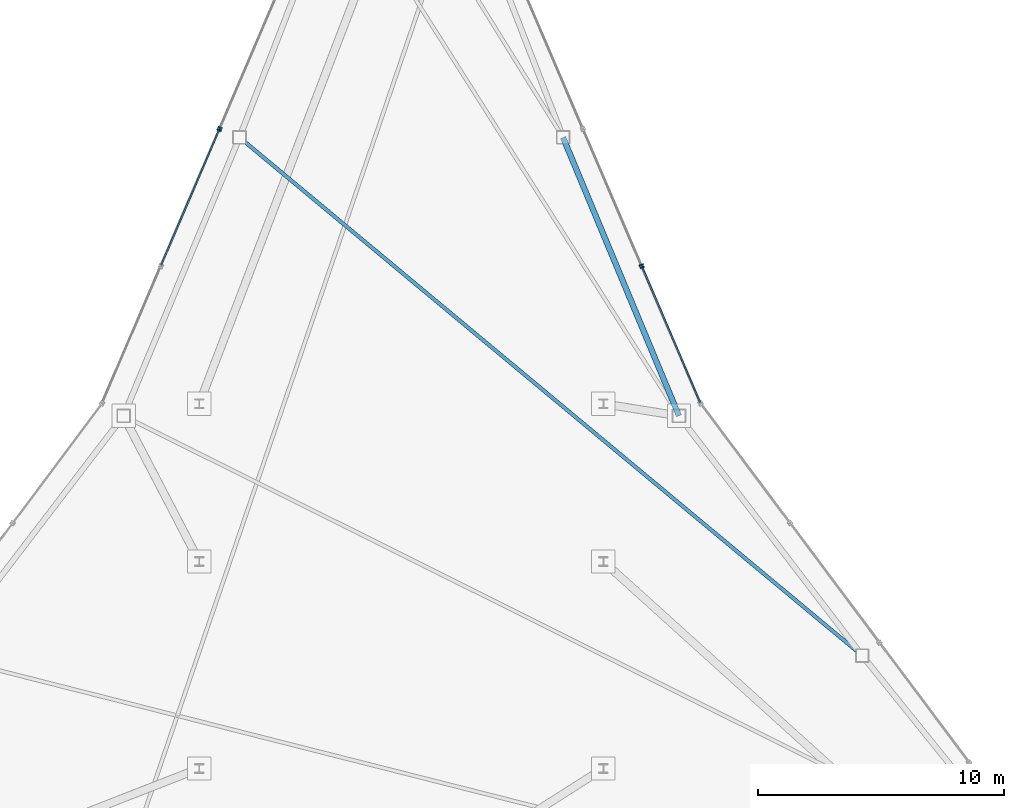
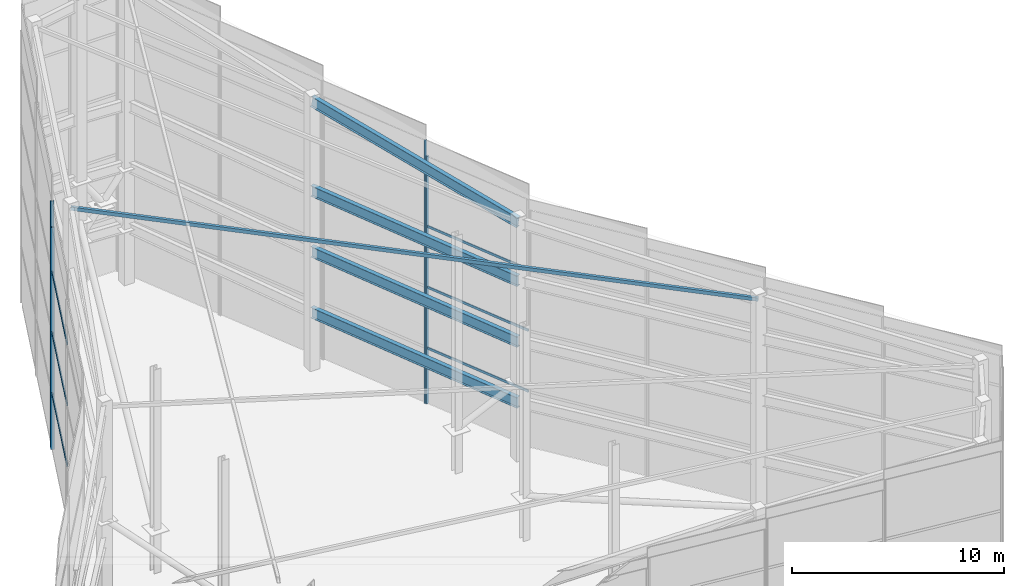
# One storey, part 12 of 17: 11 members, 4 beams, 4 elements without a shape of their own.
"""IFC4 building model written with IfcOpenShell, lengths in metres."""

from ifc_helpers import new_model, si_unit, direction, frame, origin, origin_2d, place, context, subcontext, project, spatial, rectangle, hollow_rectangle, i_section, extrude, source, transform, mapped, material, layer, layer_set, material_profile, profile_set, type_object, type_shapes, element, aggregate, save


model = new_model("IFC4")

# Units and contexts
model_context = context("Model", 3, precision=1e-05, world=origin(), true_north=direction((0.0, 1.0)))
body_context = subcontext(model_context, "Body", "Model", "MODEL_VIEW")
ifc_project = project(units=[si_unit("LENGTHUNIT", "METRE"), si_unit("AREAUNIT", "SQUARE_METRE"), si_unit("VOLUMEUNIT", "CUBIC_METRE"), si_unit("PLANEANGLEUNIT", "RADIAN"), si_unit("MASSUNIT", "GRAM", prefix="KILO")], contexts=[model_context])

# Site, building, storey
site_placement = place(None, origin())
site = spatial("IfcSite", under=ifc_project, at=site_placement, CompositionType="ELEMENT")
building_placement = place(site_placement, origin())
building = spatial("IfcBuilding", under=site, at=building_placement, Name="Varakhsha Concourse Tower", CompositionType="ELEMENT")
storey_placement = place(building_placement, frame((0.0, 0.0, 294.800048828125)))
storey = spatial("IfcBuildingStorey", under=building, at=storey_placement, Name="RF", CompositionType="ELEMENT", Elevation=294.800048828125)

# Beams
ifc_material_1 = material(Name="Structural Steel ASTM A992 Grade 50", Category="steel")
ifc_material_profile_1 = material_profile(ifc_material_1, i_section(OverallWidth=0.22900390625, OverallDepth=0.612060546875, WebThickness=0.011962890625, FlangeThickness=0.02001953125, at=origin_2d()), Name="W24X84")
ifc_profile_set_1 = profile_set([ifc_material_profile_1], Name="Structural Steel ASTM A992 Grade 50")
beam_type = type_object("IfcBeamType", Name="BM-CROWN-W24X84", PredefinedType="BEAM", material=ifc_profile_set_1)
beam_placement = place(storey_placement, frame((51.271240234375, 30.70751953125, 13.562744140625), z_axis=(-0.380422706955, 0.913492072535, 0.144259479579), x_axis=(-0.923148301278, -0.38444403214, 0.0)))
element("IfcBeam", 1, at=beam_placement, inside=storey, type_object=beam_type, Name="Crown Frame Sloped Cap Ring 17", PredefinedType="BEAM", context=body_context, shape_type="SweptSolid", body=[
    extrude(i_section(OverallWidth=0.22900390625, OverallDepth=0.612060546875, WebThickness=0.011962890625, FlangeThickness=0.02001953125, at=origin_2d()), origin(), (0.0, 0.0, 1.0), 12.371337890625),
])
for number, where, z_axis, x_axis, name in (
    (2, (51.271240234375, 30.70751953125, 3.199951171875), (-0.38444403214, 0.923148301278, 0.0), (-0.923148301278, -0.38444403214, 0.0), "Crown Frame Ring Tier 1 17"),
    (3, (51.271240234375, 30.70751953125, 6.699951171875), (-0.38444403214, 0.923148301278, 0.0), (-0.923148301278, -0.38444403214, 0.0), "Crown Frame Ring Tier 2 17"),
    (4, (51.271240234375, 30.70751953125, 10.199951171875), (-0.38444403214, 0.923148301278, 0.0), (-0.923148301278, -0.38444403214, 0.0), "Crown Frame Ring Tier 3 17"),
):
    element("IfcBeam", number, at=place(storey_placement, frame(where, z_axis=z_axis, x_axis=x_axis)), inside=storey, type_object=beam_type, Name=name, PredefinedType="BEAM", context=body_context, shape_type="SweptSolid", body=[
        extrude(i_section(OverallWidth=0.22900390625, OverallDepth=0.612060546875, WebThickness=0.011962890625, FlangeThickness=0.02001953125, at=origin_2d()), origin(), (0.0, 0.0, 1.0), 12.241943359375),
    ])

# Member
ifc_material_2 = material(Name="Structural Steel ASTM A500 Grade C", Category="steel")
ifc_material_profile_2 = material_profile(ifc_material_2, hollow_rectangle(XDim=0.14990234375, YDim=0.199951171875, WallThickness=0.010009765625, at=origin_2d()), Name="HSS 200x150x10")
ifc_profile_set_2 = profile_set([ifc_material_profile_2], Name="Structural Steel ASTM A500 Grade C")
member_type_1 = type_object("IfcMemberType", Name="MB-CROWN-PURLIN", PredefinedType="PURLIN", material=ifc_profile_set_2)
shared_shape_1 = source(origin(), body_context, "Body", "SweptSolid", [
    extrude(hollow_rectangle(XDim=0.14990234375, YDim=0.199951171875, WallThickness=0.010009765625, at=origin_2d()), origin(), (0.0, 0.0, 1.0), 32.901611328125),
])
type_shapes(member_type_1, [shared_shape_1])
member_1_placement = place(storey_placement, frame((33.43505859375, 42.008544921875, 13.771240234375), z_axis=(0.768048685928, -0.639098189686, -0.040678249534), x_axis=(0.639627611083, 0.768684928394, 0.0)))
element("IfcMember", 5, at=member_1_placement, inside=storey, type_object=member_type_1, Name="Slanted Crown Roof Purlin PR03", PredefinedType="PURLIN", context=body_context, shape_type="MappedRepresentation", body=[
    mapped(shared_shape_1, transform((0.0, 0.0, 0.0), scale=1.0)),
])

# Curtain wall, members
ifc_material_3 = material(Name="Anodised Bronze Architectural Aluminium AA 6063-T6", Category="aluminium")
ifc_layer = layer(ifc_material_3, 0.219970703125, Name="CW-SYS-07")
ifc_layer_set = layer_set([ifc_layer], Name="Anodised Bronze Architectural Aluminium AA 6063-T6")
curtain_wall_type = type_object("IfcCurtainWallType", Name="CW-SYS-07", PredefinedType="NOTDEFINED", material=ifc_layer_set)
curtain_wall_1_placement = place(storey_placement, origin())
curtain_wall_1 = element("IfcCurtainWall", 6, at=curtain_wall_1_placement, inside=storey, type_object=curtain_wall_type, Name="Slanted Crown Curtain Wall F2-S3", PredefinedType="NOTDEFINED")
ifc_material_profile_3 = material_profile(ifc_material_3, rectangle(XDim=0.06005859375, YDim=0.139892578125, at=origin_2d()), Name="CWT-140X60")
ifc_profile_set_3 = profile_set([ifc_material_profile_3], Name="Anodised Bronze Architectural Aluminium AA 6063-T6")
member_type_2 = type_object("IfcMemberType", Name="CWT-140X60", PredefinedType="USERDEFINED", material=ifc_profile_set_3)
shared_shape_2 = source(origin(), body_context, "Body", "SweptSolid", [
    extrude(rectangle(XDim=0.06005859375, YDim=0.139892578125, at=origin_2d()), origin(), (0.0, 0.0, 1.0), 5.96044921875),
])
type_shapes(member_type_2, [shared_shape_2])
member_2_placement = place(storey_placement, frame((30.2587890625, 36.830322265625, 3.199951171875), z_axis=(0.393864920848, 0.919168332856, 0.0), x_axis=(-0.919168332856, 0.393864920848, 0.0)))
member_2 = element("IfcMember", 7, at=member_2_placement, type_object=member_type_2, Name="CW-RF-F2S3 Transom 01", ObjectType="TRANSOM", PredefinedType="USERDEFINED", context=body_context, shape_type="MappedRepresentation", body=[
    mapped(shared_shape_2, transform((0.0, 0.0, 0.0), scale=1.0)),
])
member_3_placement = place(storey_placement, frame((30.2587890625, 36.830322265625, 6.699951171875), z_axis=(0.393864920848, 0.919168332856, 0.0), x_axis=(-0.919168332856, 0.393864920848, 0.0)))
member_3 = element("IfcMember", 8, at=member_3_placement, type_object=member_type_2, Name="CW-RF-F2S3 Transom 02", ObjectType="TRANSOM", PredefinedType="USERDEFINED", context=body_context, shape_type="MappedRepresentation", body=[
    mapped(shared_shape_2, transform((0.0, 0.0, 0.0), scale=1.0)),
])
member_4_placement = place(storey_placement, frame((30.2587890625, 36.830322265625, 10.199951171875), z_axis=(0.393864920848, 0.919168332856, 0.0), x_axis=(-0.919168332856, 0.393864920848, 0.0)))
member_4 = element("IfcMember", 9, at=member_4_placement, type_object=member_type_2, Name="CW-RF-F2S3 Transom 03", ObjectType="TRANSOM", PredefinedType="USERDEFINED", context=body_context, shape_type="MappedRepresentation", body=[
    mapped(shared_shape_2, transform((0.0, 0.0, 0.0), scale=1.0)),
])

curtain_wall_2_placement = place(storey_placement, origin())
curtain_wall_2 = element("IfcCurtainWall", 10, at=curtain_wall_2_placement, inside=storey, type_object=curtain_wall_type, Name="Slanted Crown Curtain Wall F9-S1", PredefinedType="NOTDEFINED")
member_5_placement = place(storey_placement, frame((49.780517578125, 36.73828125, 3.199951171875), z_axis=(0.393830314684, -0.919183160875, 0.0), x_axis=(0.919183160875, 0.393830314684, 0.0)))
member_5 = element("IfcMember", 11, at=member_5_placement, type_object=member_type_2, Name="CW-RF-F9S1 Transom 01", ObjectType="TRANSOM", PredefinedType="USERDEFINED", context=body_context, shape_type="MappedRepresentation", body=[
    mapped(shared_shape_2, transform((0.0, 0.0, 0.0), scale=1.0)),
])
member_6_placement = place(storey_placement, frame((49.780517578125, 36.73828125, 6.699951171875), z_axis=(0.393830314684, -0.919183160875, 0.0), x_axis=(0.919183160875, 0.393830314684, 0.0)))
member_6 = element("IfcMember", 12, at=member_6_placement, type_object=member_type_2, Name="CW-RF-F9S1 Transom 02", ObjectType="TRANSOM", PredefinedType="USERDEFINED", context=body_context, shape_type="MappedRepresentation", body=[
    mapped(shared_shape_2, transform((0.0, 0.0, 0.0), scale=1.0)),
])
member_7_placement = place(storey_placement, frame((49.780517578125, 36.73828125, 10.199951171875), z_axis=(0.393830314684, -0.919183160875, 0.0), x_axis=(0.919183160875, 0.393830314684, 0.0)))
member_7 = element("IfcMember", 13, at=member_7_placement, type_object=member_type_2, Name="CW-RF-F9S1 Transom 03", ObjectType="TRANSOM", PredefinedType="USERDEFINED", context=body_context, shape_type="MappedRepresentation", body=[
    mapped(shared_shape_2, transform((0.0, 0.0, 0.0), scale=1.0)),
])

# Curtain wall, member
curtain_wall_3_placement = place(storey_placement, origin())
curtain_wall_3 = element("IfcCurtainWall", 14, at=curtain_wall_3_placement, inside=storey, type_object=curtain_wall_type, Name="Slanted Crown Curtain Wall F2-S2", PredefinedType="NOTDEFINED")
ifc_material_profile_4 = material_profile(ifc_material_3, rectangle(XDim=0.06494140625, YDim=0.179931640625, at=origin_2d()), Name="CWM-180X65")
ifc_profile_set_4 = profile_set([ifc_material_profile_4], Name="Anodised Bronze Architectural Aluminium AA 6063-T6")
member_type_3 = type_object("IfcMemberType", Name="CWM-180X65", PredefinedType="MULLION", material=ifc_profile_set_4)
shared_shape_3 = source(origin(), body_context, "Body", "SweptSolid", [
    extrude(rectangle(XDim=0.06494140625, YDim=0.179931640625, at=origin_2d()), origin(), (0.0, 0.0, 1.0), 14.216064453125),
])
member_8_placement = place(storey_placement, frame((32.645751953125, 42.401123046875, 0.0), z_axis=(0.0, 0.0, 1.0), x_axis=(0.393855281377, 0.919172463323, 0.0)))
member_8 = element("IfcMember", 15, at=member_8_placement, type_object=member_type_3, Name="CW-RF-F2S2 Mullion 00", PredefinedType="MULLION", context=body_context, shape_type="MappedRepresentation", body=[
    mapped(shared_shape_3, transform((0.0, 0.0, 0.0), scale=1.0)),
])
aggregate(curtain_wall_3, [member_8])

# Member
shared_shape_4 = source(origin(), body_context, "Body", "SweptSolid", [
    extrude(rectangle(XDim=0.06494140625, YDim=0.179931640625, at=origin_2d()), origin(), (0.0, 0.0, 1.0), 12.771484375),
])
member_9_placement = place(storey_placement, frame((32.6064453125, 42.30908203125, 0.0), z_axis=(0.0, 0.0, 1.0), x_axis=(0.393840843001, 0.919178649874, 0.0)))
member_9 = element("IfcMember", 16, at=member_9_placement, type_object=member_type_3, Name="CW-RF-F2S3 Mullion 01", PredefinedType="MULLION", context=body_context, shape_type="MappedRepresentation", body=[
    mapped(shared_shape_4, transform((0.0, 0.0, 0.0), scale=1.0)),
])

aggregate(curtain_wall_1, [member_9, member_2, member_3, member_4])

shared_shape_5 = source(origin(), body_context, "Body", "SweptSolid", [
    extrude(rectangle(XDim=0.06494140625, YDim=0.179931640625, at=origin_2d()), origin(), (0.0, 0.0, 1.0), 14.2431640625),
])
member_10_placement = place(storey_placement, frame((49.780517578125, 36.73828125, 0.0), z_axis=(0.0, 0.0, 1.0), x_axis=(0.393840843001, -0.919178649874, 0.0)))
member_10 = element("IfcMember", 17, at=member_10_placement, type_object=member_type_3, Name="CW-RF-F9S1 Mullion 00", PredefinedType="MULLION", context=body_context, shape_type="MappedRepresentation", body=[
    mapped(shared_shape_5, transform((0.0, 0.0, 0.0), scale=1.0)),
])

aggregate(curtain_wall_2, [member_10, member_5, member_6, member_7])

# Curtain wall, member
curtain_wall_4_placement = place(storey_placement, origin())
curtain_wall_4 = element("IfcCurtainWall", 18, at=curtain_wall_4_placement, inside=storey, type_object=curtain_wall_type, Name="Slanted Crown Curtain Wall F9-S2", PredefinedType="NOTDEFINED")
shared_shape_6 = source(origin(), body_context, "Body", "SweptSolid", [
    extrude(rectangle(XDim=0.06494140625, YDim=0.179931640625, at=origin_2d()), origin(), (0.0, 0.0, 1.0), 15.11474609375),
])
type_shapes(member_type_3, [shared_shape_3, shared_shape_4, shared_shape_5, shared_shape_6])
member_11_placement = place(storey_placement, frame((49.7412109375, 36.830322265625, 0.0), z_axis=(0.0, 0.0, 1.0), x_axis=(0.393840843001, -0.919178649874, 0.0)))
member_11 = element("IfcMember", 19, at=member_11_placement, type_object=member_type_3, Name="CW-RF-F9S2 Mullion 01", PredefinedType="MULLION", context=body_context, shape_type="MappedRepresentation", body=[
    mapped(shared_shape_6, transform((0.0, 0.0, 0.0), scale=1.0)),
])
aggregate(curtain_wall_4, [member_11])

save(model, "model.ifc")
